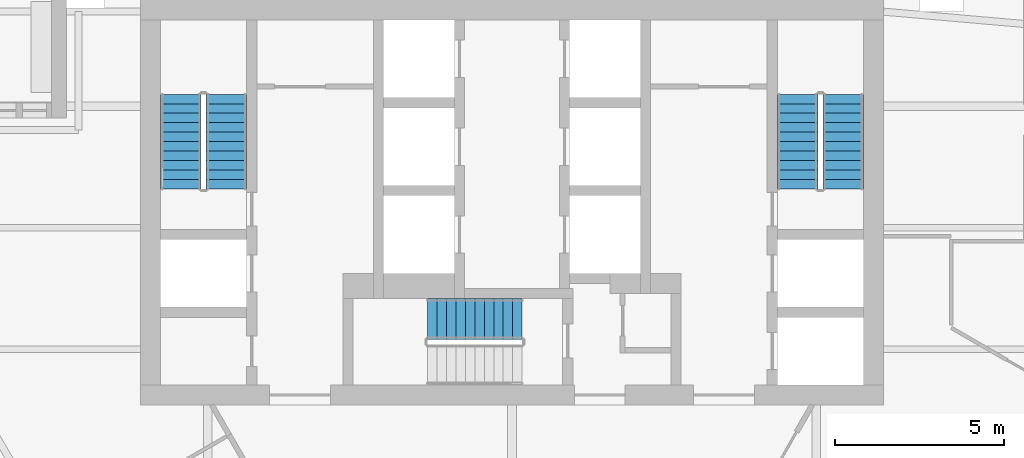
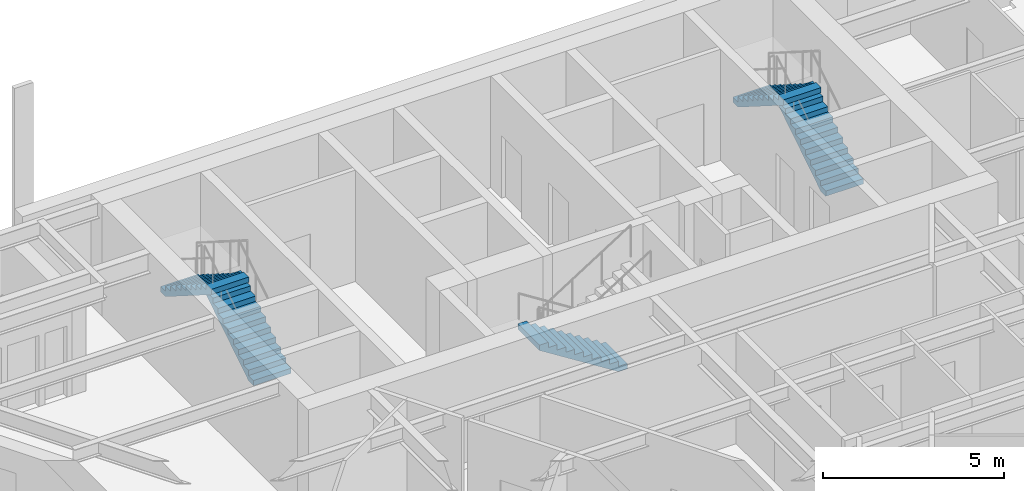
# One storey, part 6 of 8: 5 stair flights, 3 elements without a shape of their own.
"""IFC4 building model written with IfcOpenShell, lengths in metres."""

from ifc_helpers import new_model, si_unit, direction, frame, origin, place, context, subcontext, project, spatial, polyline, outline, extrude, material, type_object, element, aggregate, save


model = new_model("IFC4")

# Units and contexts
model_context = context("Model", 3, precision=1e-05, world=origin(), true_north=direction((0.0, 1.0)))
body_context = subcontext(model_context, "Body", "Model", "MODEL_VIEW")
ifc_project = project(units=[si_unit("LENGTHUNIT", "METRE"), si_unit("AREAUNIT", "SQUARE_METRE"), si_unit("VOLUMEUNIT", "CUBIC_METRE"), si_unit("PLANEANGLEUNIT", "RADIAN"), si_unit("MASSUNIT", "GRAM", prefix="KILO")], contexts=[model_context])

# Site, building, storey
site_placement = place(None, origin())
site = spatial("IfcSite", under=ifc_project, at=site_placement, CompositionType="ELEMENT")
building_placement = place(site_placement, origin())
building = spatial("IfcBuilding", under=site, at=building_placement, Name="Aloe Facet Convention Tower", CompositionType="ELEMENT")
storey_placement = place(building_placement, frame((0.0, 0.0, 140.300048828125)))
storey = spatial("IfcBuildingStorey", under=building, at=storey_placement, Name="L35", CompositionType="ELEMENT", Elevation=140.300048828125)

# Stair, stair flights
ifc_material_1 = material(Name="Concrete C50/60", Category="concrete")
stair_type = type_object("IfcStairType", Name="CR-ST-22R", PredefinedType="HALF_TURN_STAIR", material=ifc_material_1)
stair_1_placement = place(storey_placement, origin())
stair_1 = element("IfcStair", 1, at=stair_1_placement, inside=storey, type_object=stair_type, Name="L35 Protected exit stair ST1", PredefinedType="HALF_TURN_STAIR")
ifc_material_2 = material(Name="Concrete C50/60", Category="concrete")
stair_flight_type = type_object("IfcStairFlightType", Name="CR-SFL-22R", PredefinedType="STRAIGHT", material=ifc_material_2)
stair_flight_1_placement = place(storey_placement, frame((71.550048828125, 128.949951171875, 0.0), z_axis=(0.0, 0.0, 1.0), x_axis=(0.0, 1.0, 0.0)))
stair_flight_1 = element("IfcStairFlight", 2, at=stair_flight_1_placement, type_object=stair_flight_type, Name="ST1 flight 1", NumberOfRisers=11, NumberOfTreads=10, PredefinedType="STRAIGHT", RiserHeight=0.177272727, TreadLength=0.28, context=body_context, shape_type="SweptSolid", body=[
    extrude(outline(polyline([(0.0, 0.0), (0.0, 0.17724609375), (0.280029296875, 0.17724609375), (0.280029296875, 0.3544921875), (0.56005859375, 0.3544921875), (0.56005859375, 0.53173828125), (0.840087890625, 0.53173828125), (0.840087890625, 0.708984375), (1.1201171875, 0.708984375), (1.1201171875, 0.886474609375), (1.39990234375, 0.886474609375), (1.39990234375, 1.063720703125), (1.679931640625, 1.063720703125), (1.679931640625, 1.240966796875), (1.9599609375, 1.240966796875), (1.9599609375, 1.418212890625), (2.239990234375, 1.418212890625), (2.239990234375, 1.595458984375), (2.52001953125, 1.595458984375), (2.52001953125, 1.772705078125), (2.800048828125, 1.772705078125), (2.800048828125, 1.949951171875), (2.800048828125, 1.59521484375), (0.2802734375, 0.0), (0.0, 0.0)])), frame((0.0, 0.60009765625, 0.0), z_axis=(0.0, -1.0, 0.0), x_axis=(1.0, 0.0, 0.0)), (0.0, 0.0, 1.0), 1.199951171875),
])
stair_flight_2_placement = place(storey_placement, frame((70.199951171875, 131.75, 1.949951171875), z_axis=(0.0, 0.0, 1.0), x_axis=(0.0, -1.0, 0.0)))
stair_flight_2 = element("IfcStairFlight", 3, at=stair_flight_2_placement, type_object=stair_flight_type, Name="ST1 flight 2", NumberOfRisers=11, NumberOfTreads=10, PredefinedType="STRAIGHT", RiserHeight=0.177272727, TreadLength=0.28, context=body_context, shape_type="SweptSolid", body=[
    extrude(outline(polyline([(0.0, 0.0), (0.0, 0.17724609375), (0.280029296875, 0.17724609375), (0.280029296875, 0.3544921875), (0.56005859375, 0.3544921875), (0.56005859375, 0.53173828125), (0.840087890625, 0.53173828125), (0.840087890625, 0.708984375), (1.1201171875, 0.708984375), (1.1201171875, 0.886474609375), (1.39990234375, 0.886474609375), (1.39990234375, 1.063720703125), (1.679931640625, 1.063720703125), (1.679931640625, 1.240966796875), (1.9599609375, 1.240966796875), (1.9599609375, 1.418212890625), (2.239990234375, 1.418212890625), (2.239990234375, 1.595458984375), (2.52001953125, 1.595458984375), (2.52001953125, 1.772705078125), (2.800048828125, 1.772705078125), (2.800048828125, 1.949951171875), (2.800048828125, 1.59521484375), (0.2802734375, 0.0), (0.0, 0.0)])), frame((0.0, 0.60009765625, 0.0), z_axis=(0.0, -1.0, 0.0), x_axis=(1.0, 0.0, 0.0)), (0.0, 0.0, 1.0), 1.199951171875),
])
aggregate(stair_1, [stair_flight_1, stair_flight_2])

stair_2_placement = place(storey_placement, origin())
stair_2 = element("IfcStair", 4, at=stair_2_placement, inside=storey, type_object=stair_type, Name="L35 Protected exit stair ST2", PredefinedType="HALF_TURN_STAIR")
stair_flight_3_placement = place(storey_placement, frame((89.800048828125, 128.949951171875, 0.0), z_axis=(0.0, 0.0, 1.0), x_axis=(0.0, 1.0, 0.0)))
stair_flight_3 = element("IfcStairFlight", 5, at=stair_flight_3_placement, type_object=stair_flight_type, Name="ST2 flight 1", NumberOfRisers=11, NumberOfTreads=10, PredefinedType="STRAIGHT", RiserHeight=0.177272727, TreadLength=0.28, context=body_context, shape_type="SweptSolid", body=[
    extrude(outline(polyline([(0.0, 0.0), (0.0, 0.17724609375), (0.280029296875, 0.17724609375), (0.280029296875, 0.3544921875), (0.56005859375, 0.3544921875), (0.56005859375, 0.53173828125), (0.840087890625, 0.53173828125), (0.840087890625, 0.708984375), (1.1201171875, 0.708984375), (1.1201171875, 0.886474609375), (1.39990234375, 0.886474609375), (1.39990234375, 1.063720703125), (1.679931640625, 1.063720703125), (1.679931640625, 1.240966796875), (1.9599609375, 1.240966796875), (1.9599609375, 1.418212890625), (2.239990234375, 1.418212890625), (2.239990234375, 1.595458984375), (2.52001953125, 1.595458984375), (2.52001953125, 1.772705078125), (2.800048828125, 1.772705078125), (2.800048828125, 1.949951171875), (2.800048828125, 1.59521484375), (0.2802734375, 0.0), (0.0, 0.0)])), frame((0.0, 0.60009765625, 0.0), z_axis=(0.0, -1.0, 0.0), x_axis=(1.0, 0.0, 0.0)), (0.0, 0.0, 1.0), 1.199951171875),
])
stair_flight_4_placement = place(storey_placement, frame((88.449951171875, 131.75, 1.949951171875), z_axis=(0.0, 0.0, 1.0), x_axis=(0.0, -1.0, 0.0)))
stair_flight_4 = element("IfcStairFlight", 6, at=stair_flight_4_placement, type_object=stair_flight_type, Name="ST2 flight 2", NumberOfRisers=11, NumberOfTreads=10, PredefinedType="STRAIGHT", RiserHeight=0.177272727, TreadLength=0.28, context=body_context, shape_type="SweptSolid", body=[
    extrude(outline(polyline([(0.0, 0.0), (0.0, 0.17724609375), (0.280029296875, 0.17724609375), (0.280029296875, 0.3544921875), (0.56005859375, 0.3544921875), (0.56005859375, 0.53173828125), (0.840087890625, 0.53173828125), (0.840087890625, 0.708984375), (1.1201171875, 0.708984375), (1.1201171875, 0.886474609375), (1.39990234375, 0.886474609375), (1.39990234375, 1.063720703125), (1.679931640625, 1.063720703125), (1.679931640625, 1.240966796875), (1.9599609375, 1.240966796875), (1.9599609375, 1.418212890625), (2.239990234375, 1.418212890625), (2.239990234375, 1.595458984375), (2.52001953125, 1.595458984375), (2.52001953125, 1.772705078125), (2.800048828125, 1.772705078125), (2.800048828125, 1.949951171875), (2.800048828125, 1.59521484375), (0.2802734375, 0.0), (0.0, 0.0)])), frame((0.0, 0.60009765625, 0.0), z_axis=(0.0, -1.0, 0.0), x_axis=(1.0, 0.0, 0.0)), (0.0, 0.0, 1.0), 1.199951171875),
])
aggregate(stair_2, [stair_flight_3, stair_flight_4])

# Stair, stair flight
stair_3_placement = place(storey_placement, origin())
stair_3 = element("IfcStair", 7, at=stair_3_placement, inside=storey, type_object=stair_type, Name="L35 Protected exit stair ST3", PredefinedType="HALF_TURN_STAIR")
stair_flight_5_placement = place(storey_placement, frame((80.300048828125, 125.10009765625, 0.0), z_axis=(0.0, 0.0, 1.0), x_axis=(-1.0, 0.0, 0.0)))
stair_flight_5 = element("IfcStairFlight", 8, at=stair_flight_5_placement, type_object=stair_flight_type, Name="ST3 flight 1", NumberOfRisers=11, NumberOfTreads=10, PredefinedType="STRAIGHT", RiserHeight=0.177272727, TreadLength=0.28, context=body_context, shape_type="SweptSolid", body=[
    extrude(outline(polyline([(0.0, 0.0), (0.0, 0.17724609375), (0.280029296875, 0.17724609375), (0.280029296875, 0.3544921875), (0.56005859375, 0.3544921875), (0.56005859375, 0.53173828125), (0.840087890625, 0.53173828125), (0.840087890625, 0.708984375), (1.1201171875, 0.708984375), (1.1201171875, 0.886474609375), (1.39990234375, 0.886474609375), (1.39990234375, 1.063720703125), (1.679931640625, 1.063720703125), (1.679931640625, 1.240966796875), (1.9599609375, 1.240966796875), (1.9599609375, 1.418212890625), (2.239990234375, 1.418212890625), (2.239990234375, 1.595458984375), (2.52001953125, 1.595458984375), (2.52001953125, 1.772705078125), (2.800048828125, 1.772705078125), (2.800048828125, 1.949951171875), (2.800048828125, 1.59521484375), (0.2802734375, 0.0), (0.0, 0.0)])), frame((0.0, 0.60009765625, 0.0), z_axis=(0.0, -1.0, 0.0), x_axis=(1.0, 0.0, 0.0)), (0.0, 0.0, 1.0), 1.199951171875),
])
aggregate(stair_3, [stair_flight_5])

save(model, "model.ifc")
